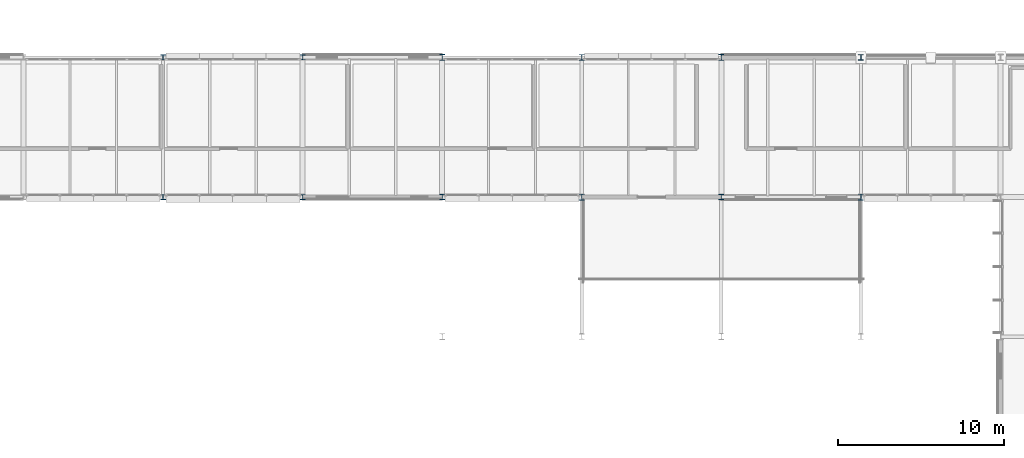
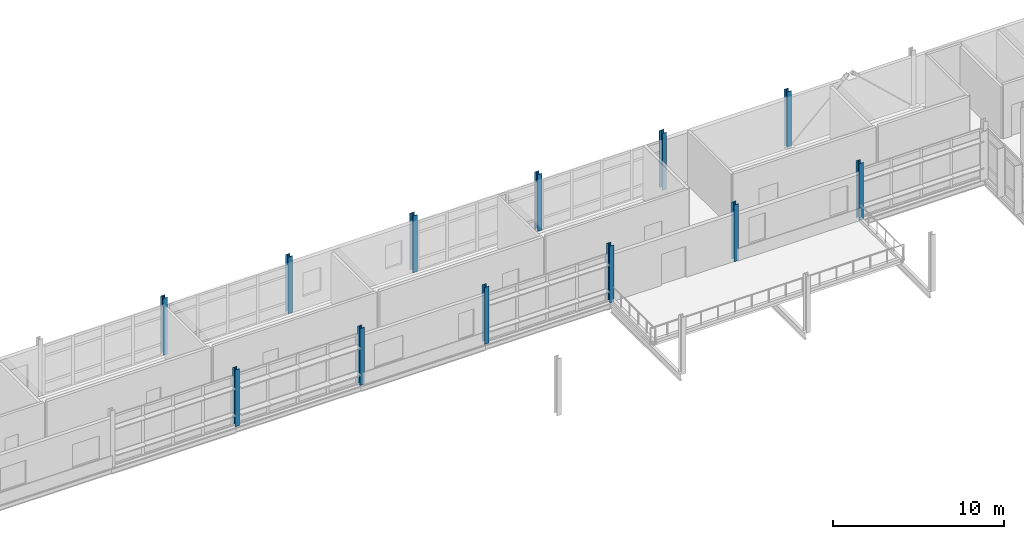
# One storey, part 5 of 57: 12 columns.
"""IFC4 building model written with IfcOpenShell, lengths in metres."""

from ifc_helpers import new_model, si_unit, direction, frame, origin, origin_2d, place, context, subcontext, project, spatial, i_section, extrude, material, material_profile, profile_set, type_object, element, save


model = new_model("IFC4")

# Units and contexts
model_context = context("Model", 3, precision=1e-05, world=origin(), true_north=direction((0.0, 1.0)))
body_context = subcontext(model_context, "Body", "Model", "MODEL_VIEW")
ifc_project = project(units=[si_unit("LENGTHUNIT", "METRE"), si_unit("AREAUNIT", "SQUARE_METRE"), si_unit("VOLUMEUNIT", "CUBIC_METRE"), si_unit("PLANEANGLEUNIT", "RADIAN"), si_unit("MASSUNIT", "GRAM", prefix="KILO")], contexts=[model_context])

# Site, building, storey
site_placement = place(None, origin())
site = spatial("IfcSite", under=ifc_project, at=site_placement, CompositionType="ELEMENT")
building_placement = place(site_placement, origin())
building = spatial("IfcBuilding", under=site, at=building_placement, Name="Mersafa Astral City Hall", CompositionType="ELEMENT")
storey_placement = place(building_placement, frame((0.0, 0.0, 26.10009765625)))
storey = spatial("IfcBuildingStorey", under=building, at=storey_placement, Name="L06", CompositionType="ELEMENT", Elevation=26.10009765625)

# Columns
ifc_material = material(Name="Steel S355", Category="steel")
ifc_material_profile_1 = material_profile(ifc_material, i_section(OverallWidth=0.300048828125, OverallDepth=0.300048828125, WebThickness=0.010986328125, FlangeThickness=0.01904296875, FilletRadius=0.027099609375, at=origin_2d()), Name="HEB 300")
ifc_profile_set_1 = profile_set([ifc_material_profile_1], Name="Steel S355")
column_type_1 = type_object("IfcColumnType", Name="STR-COL-HEB300", PredefinedType="COLUMN", material=ifc_profile_set_1)
for number, where, z_axis, x_axis, name in (
    (1, (92.39990234375, 117.60009765625, 0.0), (0.0, 0.0, 1.0), (1.0, 0.0, 0.0), "L06 Structural column G-11-14"),
    (2, (92.39990234375, 126.0, 0.0), (0.0, 0.0, 1.0), (1.0, 0.0, 0.0), "L06 Structural column G-11-15"),
    (3, (100.800048828125, 117.60009765625, 0.0), (0.0, 0.0, 1.0), (1.0, 0.0, 0.0), "L06 Structural column G-12-14"),
    (4, (100.800048828125, 126.0, 0.0), (0.0, 0.0, 1.0), (1.0, 0.0, 0.0), "L06 Structural column G-12-15"),
):
    element("IfcColumn", number, at=place(storey_placement, frame(where, z_axis=z_axis, x_axis=x_axis)), inside=storey, type_object=column_type_1, Name=name, PredefinedType="COLUMN", context=body_context, shape_type="SweptSolid", body=[
        extrude(i_section(OverallWidth=0.300048828125, OverallDepth=0.300048828125, WebThickness=0.010986328125, FlangeThickness=0.01904296875, FilletRadius=0.027099609375, at=origin_2d()), origin(), (0.0, 0.0, 1.0), 4.0498046875),
    ])
ifc_material_profile_2 = material_profile(ifc_material, i_section(OverallWidth=0.300048828125, OverallDepth=0.340087890625, WebThickness=0.011962890625, FlangeThickness=0.021484375, FilletRadius=0.027099609375, at=origin_2d()), Name="HEB 340")
ifc_profile_set_2 = profile_set([ifc_material_profile_2], Name="Steel S355")
column_type_2 = type_object("IfcColumnType", Name="STR-COL-HEB340", PredefinedType="COLUMN", material=ifc_profile_set_2)
for number, where, z_axis, x_axis, name in (
    (5, (109.199951171875, 117.60009765625, 0.0), (0.0, 0.0, 1.0), (1.0, 0.0, 0.0), "L06 Structural column G-13-14"),
    (6, (117.60009765625, 126.0, 0.0), (0.0, 0.0, 1.0), (1.0, 0.0, 0.0), "L06 Structural column G-14-15"),
    (7, (126.0, 117.60009765625, 0.0), (0.0, 0.0, 1.0), (1.0, 0.0, 0.0), "L06 Structural column G-15-14"),
    (8, (134.39990234375, 126.0, 0.0), (0.0, 0.0, 1.0), (1.0, 0.0, 0.0), "L06 Structural column G-16-15"),
):
    element("IfcColumn", number, at=place(storey_placement, frame(where, z_axis=z_axis, x_axis=x_axis)), inside=storey, type_object=column_type_2, Name=name, PredefinedType="COLUMN", context=body_context, shape_type="SweptSolid", body=[
        extrude(i_section(OverallWidth=0.300048828125, OverallDepth=0.340087890625, WebThickness=0.011962890625, FlangeThickness=0.021484375, FilletRadius=0.027099609375, at=origin_2d()), origin(), (0.0, 0.0, 1.0), 4.0498046875),
    ])
ifc_material_profile_3 = material_profile(ifc_material, i_section(OverallWidth=0.300048828125, OverallDepth=0.360107421875, WebThickness=0.012451171875, FlangeThickness=0.0224609375, FilletRadius=0.027099609375, at=origin_2d()), Name="HEB 360")
ifc_profile_set_3 = profile_set([ifc_material_profile_3], Name="Steel S355")
column_type_3 = type_object("IfcColumnType", Name="STR-COL-HEB360", PredefinedType="COLUMN", material=ifc_profile_set_3)
for number, where, z_axis, x_axis, name in (
    (9, (109.199951171875, 126.0, 0.0), (0.0, 0.0, 1.0), (1.0, 0.0, 0.0), "L06 Structural column G-13-15"),
    (10, (117.60009765625, 117.60009765625, 0.0), (0.0, 0.0, 1.0), (1.0, 0.0, 0.0), "L06 Structural column G-14-14"),
    (11, (126.0, 126.0, 0.0), (0.0, 0.0, 1.0), (1.0, 0.0, 0.0), "L06 Structural column G-15-15"),
    (12, (134.39990234375, 117.60009765625, 0.0), (0.0, 0.0, 1.0), (1.0, 0.0, 0.0), "L06 Structural column G-16-14"),
):
    element("IfcColumn", number, at=place(storey_placement, frame(where, z_axis=z_axis, x_axis=x_axis)), inside=storey, type_object=column_type_3, Name=name, PredefinedType="COLUMN", context=body_context, shape_type="SweptSolid", body=[
        extrude(i_section(OverallWidth=0.300048828125, OverallDepth=0.360107421875, WebThickness=0.012451171875, FlangeThickness=0.0224609375, FilletRadius=0.027099609375, at=origin_2d()), origin(), (0.0, 0.0, 1.0), 4.0498046875),
    ])

save(model, "model.ifc")
